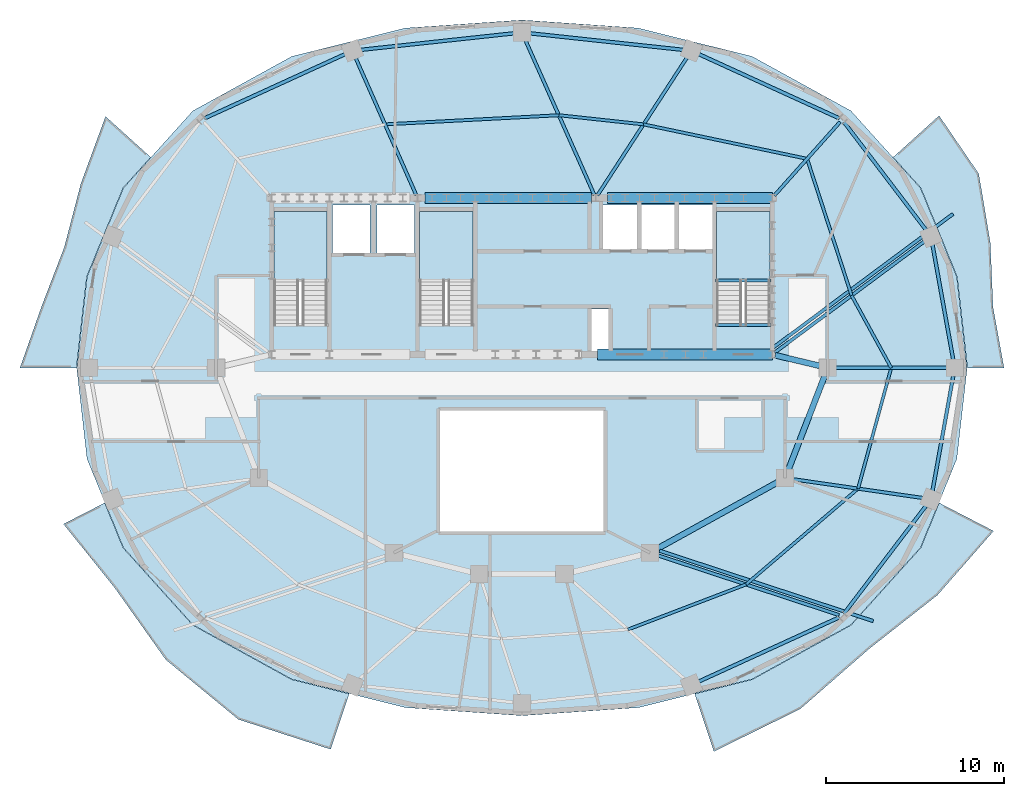
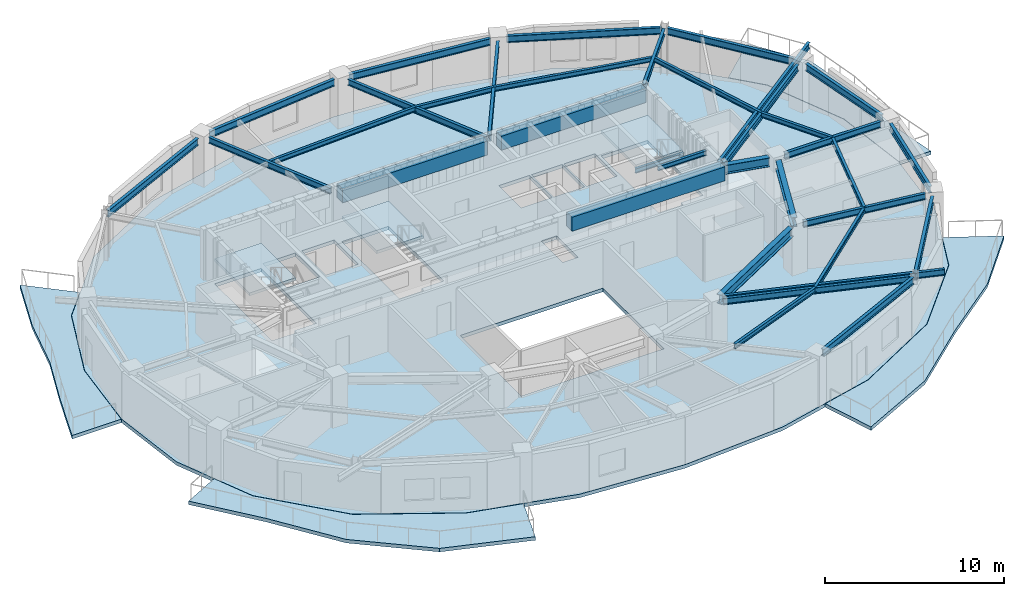
# One storey, part 2 of 9: 35 beams, 8 slabs, 3 elements without a shape of their own.
"""IFC4 building model written with IfcOpenShell, lengths in metres."""

from ifc_helpers import new_model, si_unit, direction, frame, origin, origin_2d, place, context, subcontext, project, spatial, polyline, rectangle, i_section, outline, extrude, material, layer, layer_set, material_profile, profile_set, type_object, element, aggregate, save


model = new_model("IFC4")

# Units and contexts
model_context = context("Model", 3, precision=1e-05, world=origin(), true_north=direction((0.0, 1.0)))
body_context = subcontext(model_context, "Body", "Model", "MODEL_VIEW")
ifc_project = project(units=[si_unit("LENGTHUNIT", "METRE"), si_unit("AREAUNIT", "SQUARE_METRE"), si_unit("VOLUMEUNIT", "CUBIC_METRE"), si_unit("PLANEANGLEUNIT", "RADIAN"), si_unit("MASSUNIT", "GRAM", prefix="KILO")], contexts=[model_context])

# Site, building, storey
site_placement = place(None, origin())
site = spatial("IfcSite", under=ifc_project, at=site_placement, CompositionType="ELEMENT")
building_placement = place(site_placement, origin())
building = spatial("IfcBuilding", under=site, at=building_placement, Name="Haldorwick Loom Tower", CompositionType="ELEMENT")
storey_placement = place(building_placement, frame((0.0, 0.0, 252.300048828125)))
storey = spatial("IfcBuildingStorey", under=building, at=storey_placement, Name="L68", CompositionType="ELEMENT", Elevation=252.300048828125)

# Beams
ifc_material_1 = material(Name="Steel CSA G40.21 350W", Category="steel")
ifc_material_profile_1 = material_profile(ifc_material_1, i_section(OverallWidth=0.179931640625, OverallDepth=0.4130859375, WebThickness=0.009765625, FlangeThickness=0.01611328125, at=origin_2d()), Name="W410X74", Category="steel")
ifc_profile_set_1 = profile_set([ifc_material_profile_1], Name="Steel CSA G40.21 350W")
beam_type_1 = type_object("IfcBeamType", Name="STR-BM-BAL410", PredefinedType="BEAM", material=ifc_profile_set_1)
beam_1_placement = place(storey_placement, frame((43.73876953125, 15.71728515625, 3.00341796875), z_axis=(0.949823383564, -0.312786732512, 0.0), x_axis=(0.312786732512, 0.949823383564, 0.0)))
element("IfcBeam", 1, at=beam_1_placement, inside=storey, type_object=beam_type_1, Name="L68 Continuous Back-Spanned Balcony Beam 1", PredefinedType="BEAM", context=body_context, shape_type="SweptSolid", body=[
    extrude(i_section(OverallWidth=0.179931640625, OverallDepth=0.4130859375, WebThickness=0.009765625, FlangeThickness=0.01611328125, at=origin_2d()), origin(), (0.0, 0.0, 1.0), 12.65087890625),
])
beam_2_placement = place(storey_placement, frame((50.0458984375, 27.080810546875, 3.00341796875), z_axis=(0.802800628814, 0.596247557962, 0.0), x_axis=(-0.596247557962, 0.802800628814, 0.0)))
element("IfcBeam", 2, at=beam_2_placement, inside=storey, type_object=beam_type_1, Name="L68 Continuous Back-Spanned Balcony Beam 4", PredefinedType="BEAM", context=body_context, shape_type="SweptSolid", body=[
    extrude(i_section(OverallWidth=0.179931640625, OverallDepth=0.4130859375, WebThickness=0.009765625, FlangeThickness=0.01611328125, at=origin_2d()), origin(), (0.0, 0.0, 1.0), 12.701416015625),
])
ifc_material_2 = material(Name="Concrete C50 (50 MPa)", Category="concrete")
ifc_material_profile_2 = material_profile(ifc_material_2, rectangle(XDim=0.60009765625, YDim=0.949951171875, at=origin_2d()), Name="RC600X950", Category="concrete")
ifc_profile_set_2 = profile_set([ifc_material_profile_2], Name="Concrete C50 (50 MPa)")
beam_type_2 = type_object("IfcBeamType", Name="STR-BM-CB950", PredefinedType="LINTEL", material=ifc_profile_set_2)
beam_3_placement = place(storey_placement, frame((30.550048828125, 35.550048828125, 2.73486328125), z_axis=(1.0, 0.0, 0.0), x_axis=(0.0, 1.0, 0.0)))
element("IfcBeam", 3, at=beam_3_placement, inside=storey, type_object=beam_type_2, Name="L68 Core Coupling Beam CB-N2", PredefinedType="LINTEL", context=body_context, shape_type="SweptSolid", body=[
    extrude(rectangle(XDim=0.60009765625, YDim=0.949951171875, at=origin_2d()), origin(), (0.0, 0.0, 1.0), 9.349853515625),
])
beam_4_placement = place(storey_placement, frame((40.800048828125, 35.550048828125, 2.73486328125), z_axis=(1.0, 0.0, 0.0), x_axis=(0.0, 1.0, 0.0)))
element("IfcBeam", 4, at=beam_4_placement, inside=storey, type_object=beam_type_2, Name="L68 Core Coupling Beam CB-N3", PredefinedType="LINTEL", context=body_context, shape_type="SweptSolid", body=[
    extrude(rectangle(XDim=0.60009765625, YDim=0.949951171875, at=origin_2d()), origin(), (0.0, 0.0, 1.0), 9.300048828125),
])
beam_5_placement = place(storey_placement, frame((40.25, 26.75, 2.73486328125), z_axis=(1.0, 0.0, 0.0), x_axis=(0.0, 1.0, 0.0)))
element("IfcBeam", 5, at=beam_5_placement, inside=storey, type_object=beam_type_2, Name="L68 Core Coupling Beam CB-S3", PredefinedType="LINTEL", context=body_context, shape_type="SweptSolid", body=[
    extrude(rectangle(XDim=0.60009765625, YDim=0.949951171875, at=origin_2d()), origin(), (0.0, 0.0, 1.0), 9.85009765625),
])
ifc_material_profile_3 = material_profile(ifc_material_1, i_section(OverallWidth=0.166015625, OverallDepth=0.31298828125, WebThickness=0.006591796875, FlangeThickness=0.01123046875, at=origin_2d()), Name="W310X45", Category="steel")
ifc_profile_set_3 = profile_set([ifc_material_profile_3], Name="Steel CSA G40.21 350W")
beam_type_3 = type_object("IfcBeamType", Name="STR-BM-J310", PredefinedType="JOIST", material=ifc_profile_set_3)
beam_6_placement = place(storey_placement, frame((56.768310546875, 26.0, 3.053466796875), z_axis=(-0.480863931781, 0.876795232145, 0.0), x_axis=(-0.876795232145, -0.480863931781, 0.0)))
element("IfcBeam", 6, at=beam_6_placement, inside=storey, type_object=beam_type_3, Name="L68 Mid-Bay Secondary Joist 1", PredefinedType="JOIST", context=body_context, shape_type="SweptSolid", body=[
    extrude(i_section(OverallWidth=0.166015625, OverallDepth=0.31298828125, WebThickness=0.006591796875, FlangeThickness=0.01123046875, at=origin_2d()), origin(), (0.0, 0.0, 1.0), 4.639404296875),
])
beam_7_placement = place(storey_placement, frame((54.537353515625, 30.06787109375, 3.053466796875), z_axis=(-0.309277990337, 0.95097167397, 0.0), x_axis=(-0.95097167397, -0.309277990337, 0.0)))
element("IfcBeam", 7, at=beam_7_placement, inside=storey, type_object=beam_type_3, Name="L68 Mid-Bay Secondary Joist 2", PredefinedType="JOIST", context=body_context, shape_type="SweptSolid", body=[
    extrude(i_section(OverallWidth=0.166015625, OverallDepth=0.31298828125, WebThickness=0.006591796875, FlangeThickness=0.01123046875, at=origin_2d()), origin(), (0.0, 0.0, 1.0), 8.08251953125),
])
beam_8_placement = place(storey_placement, frame((52.03759765625, 37.754150390625, 3.053466796875), z_axis=(-0.978553918403, 0.205990846344, 0.0), x_axis=(-0.205990846344, -0.978553918403, 0.0)))
element("IfcBeam", 8, at=beam_8_placement, inside=storey, type_object=beam_type_3, Name="L68 Mid-Bay Secondary Joist 3", PredefinedType="JOIST", context=body_context, shape_type="SweptSolid", body=[
    extrude(i_section(OverallWidth=0.166015625, OverallDepth=0.31298828125, WebThickness=0.006591796875, FlangeThickness=0.01123046875, at=origin_2d()), origin(), (0.0, 0.0, 1.0), 9.39990234375),
])
beam_9_placement = place(storey_placement, frame((42.83935546875, 39.6904296875, 3.053466796875), z_axis=(-0.994216460534, 0.10739473732, 0.0), x_axis=(-0.10739473732, -0.994216460534, 0.0)))
element("IfcBeam", 9, at=beam_9_placement, inside=storey, type_object=beam_type_3, Name="L68 Mid-Bay Secondary Joist 4", PredefinedType="JOIST", context=body_context, shape_type="SweptSolid", body=[
    extrude(i_section(OverallWidth=0.166015625, OverallDepth=0.31298828125, WebThickness=0.006591796875, FlangeThickness=0.01123046875, at=origin_2d()), origin(), (0.0, 0.0, 1.0), 4.792236328125),
])
beam_10_placement = place(storey_placement, frame((38.074951171875, 40.205078125, 3.053466796875), z_axis=(-0.998616726661, -0.052579779693, 0.0), x_axis=(0.052579779693, -0.998616726661, 0.0)))
element("IfcBeam", 10, at=beam_10_placement, inside=storey, type_object=beam_type_3, Name="L68 Mid-Bay Secondary Joist 5", PredefinedType="JOIST", context=body_context, shape_type="SweptSolid", body=[
    extrude(i_section(OverallWidth=0.166015625, OverallDepth=0.31298828125, WebThickness=0.006591796875, FlangeThickness=0.01123046875, at=origin_2d()), origin(), (0.0, 0.0, 1.0), 9.787841796875),
])
beam_11_placement = place(storey_placement, frame((41.96435546875, 11.284423828125, 3.053466796875), z_axis=(0.934134056558, 0.356922350628, 0.0), x_axis=(-0.356922350628, 0.934134056558, 0.0)))
element("IfcBeam", 11, at=beam_11_placement, inside=storey, type_object=beam_type_3, Name="L68 Mid-Bay Secondary Joist 14", PredefinedType="JOIST", context=body_context, shape_type="SweptSolid", body=[
    extrude(i_section(OverallWidth=0.166015625, OverallDepth=0.31298828125, WebThickness=0.006591796875, FlangeThickness=0.01123046875, at=origin_2d()), origin(), (0.0, 0.0, 1.0), 7.106201171875),
])
beam_12_placement = place(storey_placement, frame((48.6025390625, 13.82080078125, 3.053466796875), z_axis=(0.760066902561, 0.649844830426, 0.0), x_axis=(-0.649844830426, 0.760066902561, 0.0)))
element("IfcBeam", 12, at=beam_12_placement, inside=storey, type_object=beam_type_3, Name="L68 Mid-Bay Secondary Joist 15", PredefinedType="JOIST", context=body_context, shape_type="SweptSolid", body=[
    extrude(i_section(OverallWidth=0.166015625, OverallDepth=0.31298828125, WebThickness=0.006591796875, FlangeThickness=0.01123046875, at=origin_2d()), origin(), (0.0, 0.0, 1.0), 8.28857421875),
])
beam_13_placement = place(storey_placement, frame((54.90234375, 19.20703125, 3.053466796875), z_axis=(0.264879381431, 0.964281552915, 0.0), x_axis=(-0.964281552915, 0.264879381431, 0.0)))
element("IfcBeam", 13, at=beam_13_placement, inside=storey, type_object=beam_type_3, Name="L68 Mid-Bay Secondary Joist 16", PredefinedType="JOIST", context=body_context, shape_type="SweptSolid", body=[
    extrude(i_section(OverallWidth=0.166015625, OverallDepth=0.31298828125, WebThickness=0.006591796875, FlangeThickness=0.01123046875, at=origin_2d()), origin(), (0.0, 0.0, 1.0), 7.044677734375),
])
ifc_material_profile_4 = material_profile(ifc_material_1, i_section(OverallWidth=0.179931640625, OverallDepth=0.4130859375, WebThickness=0.009765625, FlangeThickness=0.01611328125, at=origin_2d()), Name="W410X74", Category="steel")
ifc_profile_set_4 = profile_set([ifc_material_profile_4], Name="Steel CSA G40.21 350W")
beam_type_4 = type_object("IfcBeamType", Name="STR-BM-J410", PredefinedType="JOIST", material=ifc_profile_set_4)
beam_14_placement = place(storey_placement, frame((53.675048828125, 26.0, 3.00341796875), z_axis=(1.0, 0.0, 0.0), x_axis=(0.0, 1.0, 0.0)))
element("IfcBeam", 14, at=beam_14_placement, inside=storey, type_object=beam_type_4, Name="L68 Radial Floor Girder 1", PredefinedType="JOIST", context=body_context, shape_type="SweptSolid", body=[
    extrude(i_section(OverallWidth=0.179931640625, OverallDepth=0.4130859375, WebThickness=0.009765625, FlangeThickness=0.01611328125, at=origin_2d()), origin(), (0.0, 0.0, 1.0), 6.186767578125),
])
beam_15_placement = place(storey_placement, frame((50.212890625, 26.856201171875, 3.00341796875), z_axis=(0.802807271117, 0.596238614518, 0.0), x_axis=(-0.596238614518, 0.802807271117, 0.0)))
element("IfcBeam", 15, at=beam_15_placement, inside=storey, type_object=beam_type_4, Name="L68 Radial Floor Girder 2", PredefinedType="JOIST", context=body_context, shape_type="SweptSolid", body=[
    extrude(i_section(OverallWidth=0.179931640625, OverallDepth=0.4130859375, WebThickness=0.009765625, FlangeThickness=0.01611328125, at=origin_2d()), origin(), (0.0, 0.0, 1.0), 10.476318359375),
])
beam_16_placement = place(storey_placement, frame((50.1884765625, 35.682861328125, 3.00341796875), z_axis=(0.665966842703, 0.745981343212, 0.0), x_axis=(-0.745981343212, 0.665966842703, 0.0)))
element("IfcBeam", 16, at=beam_16_placement, inside=storey, type_object=beam_type_4, Name="L68 Radial Floor Girder 3", PredefinedType="JOIST", context=body_context, shape_type="SweptSolid", body=[
    extrude(i_section(OverallWidth=0.179931640625, OverallDepth=0.4130859375, WebThickness=0.009765625, FlangeThickness=0.01611328125, at=origin_2d()), origin(), (0.0, 0.0, 1.0), 5.55322265625),
])
beam_17_placement = place(storey_placement, frame((40.2470703125, 35.69921875, 3.00341796875), z_axis=(0.544701697466, 0.838629871145, 0.0), x_axis=(-0.838629871145, 0.544701697466, 0.0)))
element("IfcBeam", 17, at=beam_17_placement, inside=storey, type_object=beam_type_4, Name="L68 Radial Floor Girder 4", PredefinedType="JOIST", context=body_context, shape_type="SweptSolid", body=[
    extrude(i_section(OverallWidth=0.179931640625, OverallDepth=0.4130859375, WebThickness=0.009765625, FlangeThickness=0.01611328125, at=origin_2d()), origin(), (0.0, 0.0, 1.0), 9.221435546875),
])
beam_18_placement = place(storey_placement, frame((40.077392578125, 35.712646484375, 3.00341796875), z_axis=(-0.407128364689, 0.913370951293, 0.0), x_axis=(-0.913370951293, -0.407128364689, 0.0)))
element("IfcBeam", 18, at=beam_18_placement, inside=storey, type_object=beam_type_4, Name="L68 Radial Floor Girder 5", PredefinedType="JOIST", context=body_context, shape_type="SweptSolid", body=[
    extrude(i_section(OverallWidth=0.179931640625, OverallDepth=0.4130859375, WebThickness=0.009765625, FlangeThickness=0.01611328125, at=origin_2d()), origin(), (0.0, 0.0, 1.0), 9.5400390625),
])
beam_19_placement = place(storey_placement, frame((30.05810546875, 35.712890625, 3.00341796875), z_axis=(-0.404158193408, 0.914689102756, 0.0), x_axis=(-0.914689102756, -0.404158193408, 0.0)))
element("IfcBeam", 19, at=beam_19_placement, inside=storey, type_object=beam_type_4, Name="L68 Radial Floor Girder 6", PredefinedType="JOIST", context=body_context, shape_type="SweptSolid", body=[
    extrude(i_section(OverallWidth=0.179931640625, OverallDepth=0.4130859375, WebThickness=0.009765625, FlangeThickness=0.01611328125, at=origin_2d()), origin(), (0.0, 0.0, 1.0), 8.400146484375),
])
beam_20_placement = place(storey_placement, frame((43.651123046875, 15.451416015625, 3.00341796875), z_axis=(0.94982454623, -0.312783201882, 0.0), x_axis=(0.312783201882, 0.94982454623, 0.0)))
element("IfcBeam", 20, at=beam_20_placement, inside=storey, type_object=beam_type_4, Name="L68 Radial Floor Girder 15", PredefinedType="JOIST", context=body_context, shape_type="SweptSolid", body=[
    extrude(i_section(OverallWidth=0.179931640625, OverallDepth=0.4130859375, WebThickness=0.009765625, FlangeThickness=0.01611328125, at=origin_2d()), origin(), (0.0, 0.0, 1.0), 10.72314453125),
])
beam_21_placement = place(storey_placement, frame((51.27001953125, 19.732177734375, 3.00341796875), z_axis=(0.989713971376, -0.143060318968, 0.0), x_axis=(0.143060318968, 0.989713971376, 0.0)))
element("IfcBeam", 21, at=beam_21_placement, inside=storey, type_object=beam_type_4, Name="L68 Radial Floor Girder 16", PredefinedType="JOIST", context=body_context, shape_type="SweptSolid", body=[
    extrude(i_section(OverallWidth=0.179931640625, OverallDepth=0.4130859375, WebThickness=0.009765625, FlangeThickness=0.01611328125, at=origin_2d()), origin(), (0.0, 0.0, 1.0), 7.33984375),
])
ifc_material_profile_5 = material_profile(ifc_material_1, i_section(OverallWidth=0.193115234375, OverallDepth=0.466064453125, WebThickness=0.011474609375, FlangeThickness=0.01904296875, at=origin_2d()), Name="W460X97", Category="steel")
ifc_profile_set_5 = profile_set([ifc_material_profile_5], Name="Steel CSA G40.21 350W")
beam_type_5 = type_object("IfcBeamType", Name="STR-BM-SP460", PredefinedType="SPANDREL", material=ifc_profile_set_5)
beam_22_placement = place(storey_placement, frame((60.25244140625, 26.467529296875, 2.97705078125), z_axis=(-0.177515201984, 0.984118058499, 0.0), x_axis=(-0.984118058499, -0.177515201984, 0.0)))
element("IfcBeam", 22, at=beam_22_placement, inside=storey, type_object=beam_type_5, Name="L68 Perimeter Spandrel 1", PredefinedType="SPANDREL", context=body_context, shape_type="SweptSolid", body=[
    extrude(i_section(OverallWidth=0.193115234375, OverallDepth=0.466064453125, WebThickness=0.011474609375, FlangeThickness=0.01904296875, at=origin_2d()), origin(), (0.0, 0.0, 1.0), 6.5546875),
])
beam_23_placement = place(storey_placement, frame((58.717041015625, 33.763916015625, 2.97705078125), z_axis=(-0.605410439126, 0.795913437629, 0.0), x_axis=(-0.795913437629, -0.605410439126, 0.0)))
element("IfcBeam", 23, at=beam_23_placement, inside=storey, type_object=beam_type_5, Name="L68 Perimeter Spandrel 2", PredefinedType="SPANDREL", context=body_context, shape_type="SweptSolid", body=[
    extrude(i_section(OverallWidth=0.193115234375, OverallDepth=0.466064453125, WebThickness=0.011474609375, FlangeThickness=0.01904296875, at=origin_2d()), origin(), (0.0, 0.0, 1.0), 7.604736328125),
])
beam_24_placement = place(storey_placement, frame((53.84326171875, 40.0322265625, 2.97705078125), z_axis=(-0.909567887863, 0.415555360172, 0.0), x_axis=(-0.415555360172, -0.909567887863, 0.0)))
element("IfcBeam", 24, at=beam_24_placement, inside=storey, type_object=beam_type_5, Name="L68 Perimeter Spandrel 3", PredefinedType="SPANDREL", context=body_context, shape_type="SweptSolid", body=[
    extrude(i_section(OverallWidth=0.193115234375, OverallDepth=0.466064453125, WebThickness=0.011474609375, FlangeThickness=0.01904296875, at=origin_2d()), origin(), (0.0, 0.0, 1.0), 8.666259765625),
])
for number, where, z_axis, x_axis, name in (
    (25, (45.056396484375, 43.8818359375, 2.97705078125), (-0.994216353781, 0.107395725588, 0.0), (-0.107395725588, -0.994216353781, 0.0), "L68 Perimeter Spandrel 4"),
    (26, (35.527587890625, 44.80908203125, 2.97705078125), (-0.994216353781, -0.107395725588, 0.0), (0.107395725588, -0.994216353781, 0.0), "L68 Perimeter Spandrel 5"),
):
    element("IfcBeam", number, at=place(storey_placement, frame(where, z_axis=z_axis, x_axis=x_axis)), inside=storey, type_object=beam_type_5, Name=name, PredefinedType="SPANDREL", context=body_context, shape_type="SweptSolid", body=[
        extrude(i_section(OverallWidth=0.193115234375, OverallDepth=0.466064453125, WebThickness=0.011474609375, FlangeThickness=0.01904296875, at=origin_2d()), origin(), (0.0, 0.0, 1.0), 8.634033203125),
    ])
for number, where, z_axis, x_axis, name in (
    (27, (26.039306640625, 43.633544921875, 2.97705078125), (-0.909567887863, -0.415555360172, 0.0), (0.415555360172, -0.909567887863, 0.0), "L68 Perimeter Spandrel 6"),
    (28, (45.960693359375, 8.366455078125, 2.97705078125), (0.909567887863, 0.415555360172, 0.0), (-0.415555360172, 0.909567887863, 0.0), "L68 Perimeter Spandrel 14"),
):
    element("IfcBeam", number, at=place(storey_placement, frame(where, z_axis=z_axis, x_axis=x_axis)), inside=storey, type_object=beam_type_5, Name=name, PredefinedType="SPANDREL", context=body_context, shape_type="SweptSolid", body=[
        extrude(i_section(OverallWidth=0.193115234375, OverallDepth=0.466064453125, WebThickness=0.011474609375, FlangeThickness=0.01904296875, at=origin_2d()), origin(), (0.0, 0.0, 1.0), 8.666259765625),
    ])
beam_25_placement = place(storey_placement, frame((54.113037109375, 12.183349609375, 2.97705078125), z_axis=(0.605410439126, 0.795913437629, 0.0), x_axis=(-0.795913437629, 0.605410439126, 0.0)))
element("IfcBeam", 29, at=beam_25_placement, inside=storey, type_object=beam_type_5, Name="L68 Perimeter Spandrel 15", PredefinedType="SPANDREL", context=body_context, shape_type="SweptSolid", body=[
    extrude(i_section(OverallWidth=0.193115234375, OverallDepth=0.466064453125, WebThickness=0.011474609375, FlangeThickness=0.01904296875, at=origin_2d()), origin(), (0.0, 0.0, 1.0), 7.604736328125),
])
beam_26_placement = place(storey_placement, frame((59.0888671875, 19.081787109375, 2.97705078125), z_axis=(0.177515201984, 0.984118058499, 0.0), x_axis=(-0.984118058499, 0.177515201984, 0.0)))
element("IfcBeam", 30, at=beam_26_placement, inside=storey, type_object=beam_type_5, Name="L68 Perimeter Spandrel 16", PredefinedType="SPANDREL", context=body_context, shape_type="SweptSolid", body=[
    extrude(i_section(OverallWidth=0.193115234375, OverallDepth=0.466064453125, WebThickness=0.011474609375, FlangeThickness=0.01904296875, at=origin_2d()), origin(), (0.0, 0.0, 1.0), 6.5546875),
])
ifc_material_profile_6 = material_profile(ifc_material_1, i_section(OverallWidth=0.166015625, OverallDepth=0.31298828125, WebThickness=0.006591796875, FlangeThickness=0.01123046875, at=origin_2d()), Name="W310X45", Category="steel")
ifc_profile_set_6 = profile_set([ifc_material_profile_6], Name="Steel CSA G40.21 350W")
beam_type_6 = type_object("IfcBeamType", Name="STR-BM-STRM", PredefinedType="BEAM", material=ifc_profile_set_6)
for number, where, z_axis, x_axis, name in (
    (31, (46.889892578125, 28.39990234375, 3.053466796875), (1.0, 0.0, 0.0), (0.0, 1.0, 0.0), "L68 Stair ST-02 Landing Edge Trimmer"),
    (32, (46.889892578125, 30.919921875, 1.368408203125), (1.0, 0.0, 0.0), (0.0, 1.0, 0.0), "L68 Stair ST-02 Half-Landing Trimmer 1"),
):
    element("IfcBeam", number, at=place(storey_placement, frame(where, z_axis=z_axis, x_axis=x_axis)), inside=storey, type_object=beam_type_6, Name=name, PredefinedType="BEAM", context=body_context, shape_type="SweptSolid", body=[
        extrude(i_section(OverallWidth=0.166015625, OverallDepth=0.31298828125, WebThickness=0.006591796875, FlangeThickness=0.01123046875, at=origin_2d()), origin(), (0.0, 0.0, 1.0), 3.1201171875),
    ])
ifc_material_profile_7 = material_profile(ifc_material_1, i_section(OverallWidth=0.324951171875, OverallDepth=0.615966796875, WebThickness=0.013916015625, FlangeThickness=0.021484375, at=origin_2d()), Name="W610X174", Category="steel")
ifc_profile_set_7 = profile_set([ifc_material_profile_7], Name="Steel CSA G40.21 350W")
beam_type_7 = type_object("IfcBeamType", Name="STR-BM-W610A", PredefinedType="BEAM", material=ifc_profile_set_7)
beam_27_placement = place(storey_placement, frame((50.2431640625, 26.70849609375, 2.90185546875), z_axis=(0.972464127734, -0.233052612665, 0.0), x_axis=(0.233052612665, 0.972464127734, 0.0)))
element("IfcBeam", 33, at=beam_27_placement, inside=storey, type_object=beam_type_7, Name="L68 Inner Ring Girder 1", PredefinedType="BEAM", context=body_context, shape_type="SweptSolid", body=[
    extrude(i_section(OverallWidth=0.324951171875, OverallDepth=0.615966796875, WebThickness=0.013916015625, FlangeThickness=0.021484375, at=origin_2d()), origin(), (0.0, 0.0, 1.0), 2.5654296875),
])
beam_28_placement = place(storey_placement, frame((53.028564453125, 25.556884765625, 2.90185546875), z_axis=(-0.36101093026, -0.93256158415, 0.0), x_axis=(0.93256158415, -0.36101093026, 0.0)))
element("IfcBeam", 34, at=beam_28_placement, inside=storey, type_object=beam_type_7, Name="L68 Inner Ring Girder 2", PredefinedType="BEAM", context=body_context, shape_type="SweptSolid", body=[
    extrude(i_section(OverallWidth=0.324951171875, OverallDepth=0.615966796875, WebThickness=0.013916015625, FlangeThickness=0.021484375, at=origin_2d()), origin(), (0.0, 0.0, 1.0), 5.6982421875),
])
beam_29_placement = place(storey_placement, frame((50.38427734375, 19.5703125, 2.90185546875), z_axis=(-0.875243645673, -0.483682293152, 0.0), x_axis=(0.483682293152, -0.875243645673, 0.0)))
element("IfcBeam", 35, at=beam_29_placement, inside=storey, type_object=beam_type_7, Name="L68 Inner Ring Girder 3", PredefinedType="BEAM", context=body_context, shape_type="SweptSolid", body=[
    extrude(i_section(OverallWidth=0.324951171875, OverallDepth=0.615966796875, WebThickness=0.013916015625, FlangeThickness=0.021484375, at=origin_2d()), origin(), (0.0, 0.0, 1.0), 7.7333984375),
])

# Slabs
ifc_material_3 = material(Name="Concrete C40 (40 MPa)", Category="concrete")
ifc_layer_1 = layer(ifc_material_3, 0.239990234375, Name="Concrete C40 (40 MPa)", Category="concrete")
ifc_layer_set_1 = layer_set([ifc_layer_1], Name="Concrete C40 (40 MPa)")
slab_type_1 = type_object("IfcSlabType", Name="STR-SLB-BAL240", PredefinedType="FLOOR", material=ifc_layer_set_1)
slab_1_placement = place(storey_placement, frame((0.0, 0.0, -0.239990234375)))
element("IfcSlab", 36, at=slab_1_placement, inside=storey, type_object=slab_type_1, Name="L68 Sinusoidal Balcony Terrace BAL_SE", PredefinedType="FLOOR", context=body_context, shape_type="SweptSolid", body=[
    extrude(outline(polyline([(59.45947265625, 18.40576171875), (58.427978515625, 15.88427734375), (58.427490234375, 15.883056640625), (58.4267578125, 15.882080078125), (58.426025390625, 15.881103515625), (58.42529296875, 15.8798828125), (54.51123046875, 11.53662109375), (54.51025390625, 11.535400390625), (54.5087890625, 11.534423828125), (54.50732421875, 11.53369140625), (48.947998046875, 8.475830078125), (48.947021484375, 8.475341796875), (48.94580078125, 8.474853515625), (48.9443359375, 8.474365234375), (45.716796875, 7.66845703125), (46.79736328125, 4.430419921875), (51.6435546875, 6.8134765625), (55.541748046875, 10.213623046875), (59.365478515625, 13.219970703125), (62.522705078125, 16.823974609375), (59.45947265625, 18.40576171875)])), origin(), (0.0, 0.0, 1.0), 0.239990234375),
])
slab_2_placement = place(storey_placement, frame((0.0, 0.0, -0.239990234375)))
element("IfcSlab", 37, at=slab_2_placement, inside=storey, type_object=slab_type_1, Name="L68 Sinusoidal Balcony Terrace BAL_SW", PredefinedType="FLOOR", context=body_context, shape_type="SweptSolid", body=[
    extrude(outline(polyline([(26.283203125, 7.66845703125), (23.0556640625, 8.474365234375), (23.05419921875, 8.474853515625), (23.052978515625, 8.475341796875), (23.052001953125, 8.475830078125), (17.49267578125, 11.53369140625), (17.4912109375, 11.534423828125), (17.48974609375, 11.535400390625), (17.48876953125, 11.53662109375), (13.57470703125, 15.8798828125), (13.573974609375, 15.881103515625), (13.5732421875, 15.882080078125), (13.572509765625, 15.883056640625), (13.572021484375, 15.88427734375), (12.540283203125, 18.406494140625), (10.220947265625, 17.21826171875), (13.10595703125, 13.623291015625), (15.97216796875, 9.59130859375), (20.05224609375, 6.230712890625), (25.24072265625, 4.5478515625), (26.283203125, 7.66845703125)])), origin(), (0.0, 0.0, 1.0), 0.239990234375),
])
slab_3_placement = place(storey_placement, frame((0.0, 0.0, -0.239990234375)))
element("IfcSlab", 38, at=slab_3_placement, inside=storey, type_object=slab_type_1, Name="L68 Sinusoidal Balcony Terrace BAL_WNW", PredefinedType="FLOOR", context=body_context, shape_type="SweptSolid", body=[
    extrude(outline(polyline([(10.9482421875, 26.0), (10.9482421875, 26.001708984375), (11.529296875, 31.12109375), (11.529541015625, 31.12255859375), (11.530029296875, 31.123779296875), (11.530517578125, 31.125), (13.572021484375, 36.11572265625), (13.572509765625, 36.116943359375), (13.5732421875, 36.117919921875), (13.573974609375, 36.118896484375), (13.57470703125, 36.1201171875), (15.125, 37.84033203125), (12.585693359375, 40.13623046875), (11.193603515625, 36.342529296875), (10.267333984375, 32.783447265625), (9.01025390625, 29.510009765625), (7.77490234375, 26.0), (10.9482421875, 26.0)])), origin(), (0.0, 0.0, 1.0), 0.239990234375),
])
slab_4_placement = place(storey_placement, frame((0.0, 0.0, -0.239990234375)))
element("IfcSlab", 39, at=slab_4_placement, inside=storey, type_object=slab_type_1, Name="L68 Sinusoidal Balcony Terrace BAL_ENE", PredefinedType="FLOOR", context=body_context, shape_type="SweptSolid", body=[
    extrude(outline(polyline([(56.875, 37.84033203125), (58.42529296875, 36.1201171875), (58.426025390625, 36.118896484375), (58.4267578125, 36.117919921875), (58.427490234375, 36.116943359375), (58.427978515625, 36.11572265625), (60.469482421875, 31.125), (60.469970703125, 31.123779296875), (60.470458984375, 31.12255859375), (60.470703125, 31.12109375), (61.0517578125, 26.001708984375), (61.0517578125, 26.0), (63.1083984375, 26.0), (62.492919921875, 29.4091796875), (62.3388671875, 33.035400390625), (61.68701171875, 36.9169921875), (59.45947265625, 40.17822265625), (56.875, 37.84033203125)])), origin(), (0.0, 0.0, 1.0), 0.239990234375),
])

# Stair, slab
stair_type = type_object("IfcStairType", Name="STR-STR-CORE", PredefinedType="HALF_TURN_STAIR", material=ifc_material_3)
stair_1_placement = place(storey_placement, origin())
stair_1 = element("IfcStair", 40, at=stair_1_placement, inside=storey, type_object=stair_type, Name="L68 Exit Stair ST-01", PredefinedType="HALF_TURN_STAIR")
ifc_layer_2 = layer(ifc_material_3, 0.199951171875, Name="Concrete C40 (40 MPa)", Category="concrete")
ifc_layer_set_2 = layer_set([ifc_layer_2], Name="Concrete C40 (40 MPa)")
slab_type_2 = type_object("IfcSlabType", Name="STR-SLB-LAND200", PredefinedType="LANDING", material=ifc_layer_set_2)
slab_5_placement = place(storey_placement, frame((0.0, 0.0, 1.52490234375)))
slab_5 = element("IfcSlab", 41, at=slab_5_placement, type_object=slab_type_2, Name="ST-01 landing 1", PredefinedType="LANDING", context=body_context, shape_type="SweptSolid", body=[
    extrude(outline(polyline([(25.050048828125, 30.919921875), (25.050048828125, 34.800048828125), (22.050048828125, 34.800048828125), (22.050048828125, 30.919921875), (25.050048828125, 30.919921875)])), origin(), (0.0, 0.0, 1.0), 0.199951171875),
])
aggregate(stair_1, [slab_5])

stair_2_placement = place(storey_placement, origin())
stair_2 = element("IfcStair", 42, at=stair_2_placement, inside=storey, type_object=stair_type, Name="L68 Exit Stair ST-02", PredefinedType="HALF_TURN_STAIR")
slab_6_placement = place(storey_placement, frame((0.0, 0.0, 1.52490234375)))
slab_6 = element("IfcSlab", 43, at=slab_6_placement, type_object=slab_type_2, Name="ST-02 landing 1", PredefinedType="LANDING", context=body_context, shape_type="SweptSolid", body=[
    extrude(outline(polyline([(49.949951171875, 30.919921875), (49.949951171875, 34.800048828125), (46.949951171875, 34.800048828125), (46.949951171875, 30.919921875), (49.949951171875, 30.919921875)])), origin(), (0.0, 0.0, 1.0), 0.199951171875),
])
aggregate(stair_2, [slab_6])

stair_3_placement = place(storey_placement, origin())
stair_3 = element("IfcStair", 44, at=stair_3_placement, inside=storey, type_object=stair_type, Name="L68 Exit Stair ST-03", PredefinedType="HALF_TURN_STAIR")
slab_7_placement = place(storey_placement, frame((0.0, 0.0, 1.52490234375)))
slab_7 = element("IfcSlab", 45, at=slab_7_placement, type_object=slab_type_2, Name="ST-03 landing 1", PredefinedType="LANDING", context=body_context, shape_type="SweptSolid", body=[
    extrude(outline(polyline([(33.25, 30.919921875), (33.25, 34.800048828125), (30.25, 34.800048828125), (30.25, 30.919921875), (33.25, 30.919921875)])), origin(), (0.0, 0.0, 1.0), 0.199951171875),
])
aggregate(stair_3, [slab_7])

# Slab
ifc_layer_3 = layer(ifc_material_3, 0.239990234375, Name="Concrete C40 (40 MPa)", Category="concrete")
ifc_layer_set_3 = layer_set([ifc_layer_3], Name="Concrete C40 (40 MPa)")
slab_type_3 = type_object("IfcSlabType", Name="STR-SLB-RES240", PredefinedType="FLOOR", material=ifc_layer_set_3)
slab_8_placement = place(storey_placement, frame((0.0, 0.0, -0.239990234375)))
element("IfcSlab", 46, at=slab_8_placement, inside=storey, type_object=slab_type_3, Name="L68 Residential Structural Floor Slab", PredefinedType="FLOOR", context=body_context, shape_type="SweptSolid", body=[
    extrude(outline(polyline([(54.500244140625, 11.546630859375), (58.4140625, 15.889892578125), (60.455810546875, 20.880615234375), (61.036865234375, 26.0), (60.455810546875, 31.119384765625), (58.4140625, 36.110107421875), (54.500244140625, 40.453369140625), (48.94091796875, 43.510986328125), (42.552978515625, 45.10595703125), (36.0, 45.56005859375), (29.447021484375, 45.10595703125), (23.05908203125, 43.510986328125), (17.499755859375, 40.453369140625), (13.5859375, 36.110107421875), (11.544189453125, 31.119384765625), (10.963134765625, 26.0), (11.544189453125, 20.880615234375), (13.5859375, 15.889892578125), (17.499755859375, 11.546630859375), (23.05908203125, 8.489013671875), (29.447021484375, 6.89404296875), (36.0, 6.43994140625), (42.552978515625, 6.89404296875), (48.94091796875, 8.489013671875), (54.500244140625, 11.546630859375)]), holes=[polyline([(31.39990234375, 16.800048828125), (31.39990234375, 23.60009765625), (40.60009765625, 23.60009765625), (40.60009765625, 16.800048828125), (31.39990234375, 16.800048828125)]), polyline([(40.89990234375, 26.89990234375), (39.89990234375, 26.89990234375), (39.89990234375, 29.300048828125), (40.89990234375, 29.300048828125), (40.89990234375, 26.89990234375)]), polyline([(23.6201171875, 28.39990234375), (22.050048828125, 28.39990234375), (22.050048828125, 34.800048828125), (25.050048828125, 34.800048828125), (25.050048828125, 28.639892578125), (23.6201171875, 28.639892578125), (23.6201171875, 28.39990234375)]), polyline([(30.25, 28.39990234375), (30.25, 34.800048828125), (33.25, 34.800048828125), (33.25, 28.639892578125), (31.820068359375, 28.639892578125), (31.820068359375, 28.39990234375), (30.25, 28.39990234375)]), polyline([(46.949951171875, 28.39990234375), (46.949951171875, 34.800048828125), (49.949951171875, 34.800048828125), (49.949951171875, 28.639892578125), (48.52001953125, 28.639892578125), (48.52001953125, 28.39990234375), (46.949951171875, 28.39990234375)]), polyline([(27.449951171875, 32.449951171875), (25.35009765625, 32.449951171875), (25.35009765625, 35.14990234375), (27.449951171875, 35.14990234375), (27.449951171875, 32.449951171875)]), polyline([(29.949951171875, 32.449951171875), (27.85009765625, 32.449951171875), (27.85009765625, 35.14990234375), (29.949951171875, 35.14990234375), (29.949951171875, 32.449951171875)]), polyline([(42.550048828125, 32.64990234375), (40.550048828125, 32.64990234375), (40.550048828125, 35.14990234375), (42.550048828125, 35.14990234375), (42.550048828125, 32.64990234375)]), polyline([(42.64990234375, 32.64990234375), (42.64990234375, 35.14990234375), (44.64990234375, 35.14990234375), (44.64990234375, 32.64990234375), (42.64990234375, 32.64990234375)]), polyline([(44.75, 32.64990234375), (44.75, 35.14990234375), (46.75, 35.14990234375), (46.75, 32.64990234375), (44.75, 32.64990234375)])]), origin(), (0.0, 0.0, 1.0), 0.239990234375),
])

save(model, "model.ifc")
